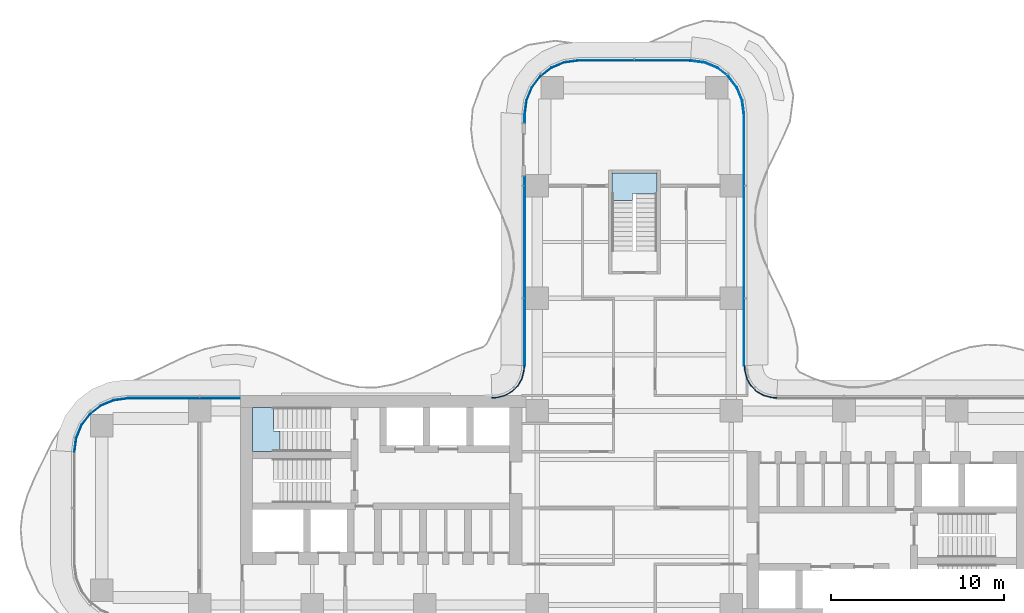
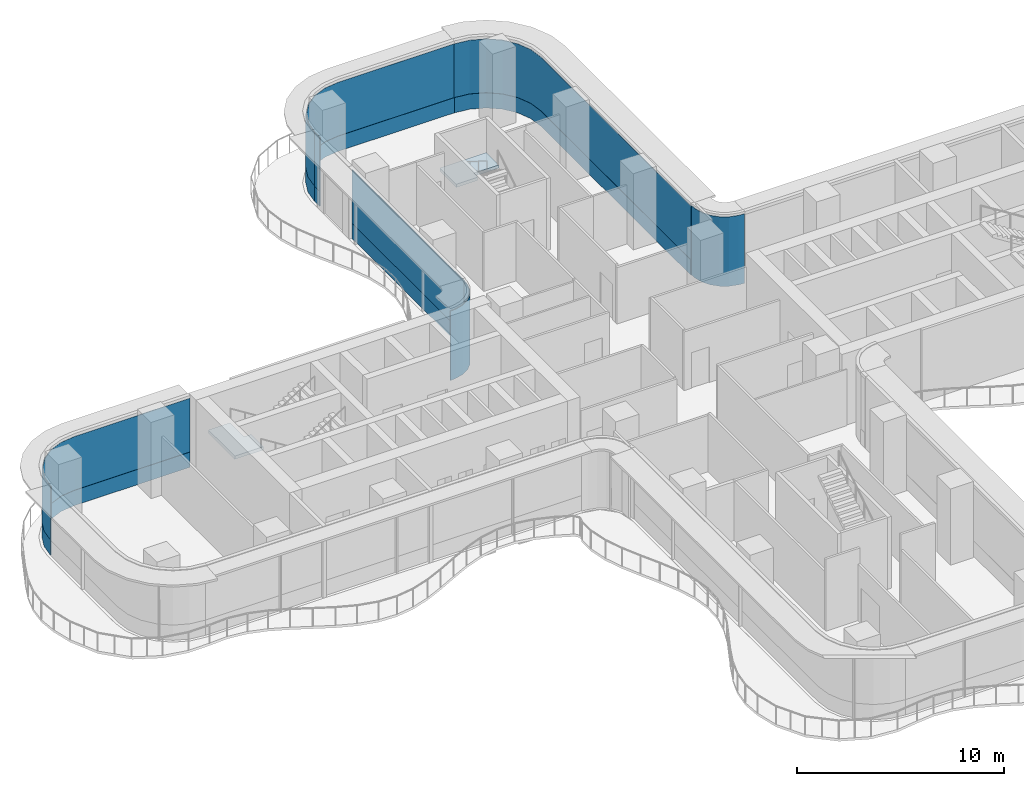
# One storey, part 16 of 23: 12 plates, 2 slabs, 9 elements without a shape of their own.
"""IFC4 building model written with IfcOpenShell, lengths in metres."""

from ifc_helpers import new_model, si_unit, direction, frame, origin, place, context, subcontext, project, spatial, polyline, outline, extrude, source, transform, mapped, material, layer, layer_set, type_object, element, aggregate, save


model = new_model("IFC4")

# Units and contexts
model_context = context("Model", 3, precision=1e-05, world=origin(), true_north=direction((0.0, 1.0)))
body_context = subcontext(model_context, "Body", "Model", "MODEL_VIEW")
ifc_project = project(units=[si_unit("LENGTHUNIT", "METRE"), si_unit("AREAUNIT", "SQUARE_METRE"), si_unit("VOLUMEUNIT", "CUBIC_METRE"), si_unit("PLANEANGLEUNIT", "RADIAN"), si_unit("MASSUNIT", "GRAM", prefix="KILO")], contexts=[model_context])

# Site, building, storey
site_placement = place(None, origin())
site = spatial("IfcSite", under=ifc_project, at=site_placement, CompositionType="ELEMENT")
building_placement = place(site_placement, origin())
building = spatial("IfcBuilding", under=site, at=building_placement, Name="Trellis Farm Tower", CompositionType="ELEMENT")
storey_placement = place(building_placement, frame((0.0, 0.0, 120.0)))
storey = spatial("IfcBuildingStorey", under=building, at=storey_placement, Name="L25", CompositionType="ELEMENT", Elevation=120.0)

# Stair, slab
ifc_material_1 = material(Name="Concrete C50/60", Category="concrete")
stair_type = type_object("IfcStairType", Name="CORE EXIT STAIR 26 RISERS 173 MM", PredefinedType="HALF_TURN_STAIR", material=ifc_material_1)
placement_1 = place(storey_placement, origin())
stair_1 = element("IfcStair", 1, at=placement_1, inside=storey, type_object=stair_type, Name="Exit stair N", PredefinedType="HALF_TURN_STAIR")
ifc_layer_1 = layer(ifc_material_1, 0.18994140625)
ifc_layer_set_1 = layer_set([ifc_layer_1], Name="CORE STAIR LANDING 190 CONCRETE C50/60")
slab_type = type_object("IfcSlabType", Name="CORE STAIR LANDING 190 CONCRETE C50/60", PredefinedType="LANDING", material=ifc_layer_set_1)
shared_shape_1 = source(origin(), body_context, "Body", "SweptSolid", [
    extrude(outline(polyline([(-0.10009765625, 17.753173828125), (-1.300048828125, 17.753173828125), (-1.300048828125, 18.14990234375), (-1.300048828125, 19.35009765625), (1.300048828125, 19.35009765625), (1.300048828125, 18.14990234375), (1.300048828125, 18.139892578125), (0.10009765625, 18.139892578125), (0.10009765625, 18.14990234375), (-0.10009765625, 18.14990234375), (-0.10009765625, 17.753173828125)])), origin(), (0.0, 0.0, 1.0), 0.18994140625),
])
placement_2 = place(storey_placement, frame((0.0, 0.0, 2.06005859375)))
slab_1 = element("IfcSlab", 2, at=placement_2, type_object=slab_type, Name="STN landing 1", PredefinedType="LANDING", context=body_context, shape_type="MappedRepresentation", body=[
    mapped(shared_shape_1, transform((0.0, 0.0, 0.0))),
])
aggregate(stair_1, [slab_1])

stair_2 = element("IfcStair", 3, at=placement_1, inside=storey, type_object=stair_type, Name="Exit stair W1", PredefinedType="HALF_TURN_STAIR")
shared_shape_2 = source(origin(), body_context, "Body", "SweptSolid", [
    extrude(outline(polyline([(-20.453125, 4.449951171875), (-20.453125, 3.25), (-20.85009765625, 3.25), (-22.050048828125, 3.25), (-22.050048828125, 5.800048828125), (-20.85009765625, 5.800048828125), (-20.840087890625, 5.800048828125), (-20.840087890625, 4.60009765625), (-20.85009765625, 4.60009765625), (-20.85009765625, 4.449951171875), (-20.453125, 4.449951171875)])), origin(), (0.0, 0.0, 1.0), 0.18994140625),
])
slab_2 = element("IfcSlab", 4, at=placement_2, type_object=slab_type, Name="STW1 landing 1", PredefinedType="LANDING", context=body_context, shape_type="MappedRepresentation", body=[
    mapped(shared_shape_2, transform((0.0, 0.0, 0.0))),
])
aggregate(stair_2, [slab_2])

# Curtain wall, plate
ifc_material_2 = material(Name="Aluminium and glass curtain wall", Category="aluminium")
ifc_layer_2 = layer(ifc_material_2, 0.166015625)
ifc_layer_set_2 = layer_set([ifc_layer_2], Name="WINTER GARDEN CURTAIN WALL CW3")
curtain_wall_type_1 = type_object("IfcCurtainWallType", Name="WINTER GARDEN CURTAIN WALL CW3", PredefinedType="NOTDEFINED", material=ifc_layer_set_2)
curtain_wall_1 = element("IfcCurtainWall", 5, at=placement_1, inside=storey, type_object=curtain_wall_type_1, Name="CW3 003", PredefinedType="NOTDEFINED")
ifc_material_3 = material(Name="Clear insulated glass", Category="glass")
ifc_layer_3 = layer(ifc_material_3, 0.0458984375)
ifc_layer_set_3 = layer_set([ifc_layer_3], Name="CW3 GLASS PANEL 46")
plate_type_1 = type_object("IfcPlateType", Name="CW3 GLASS PANEL 46", PredefinedType="CURTAIN_PANEL", material=ifc_layer_set_3)
shared_shape_3 = source(origin(), body_context, "Body", "SweptSolid", [
    extrude(outline(polyline([(8.2275390625, 6.3798828125), (8.0078125, 6.394287109375), (7.89208984375, 6.40966796875), (7.462158203125, 6.52490234375), (7.070556640625, 6.7509765625), (6.7509765625, 7.070556640625), (6.52490234375, 7.462158203125), (6.40966796875, 7.89208984375), (6.394287109375, 8.0078125), (6.3798828125, 8.2275390625), (6.333984375, 8.22607421875), (6.3486328125, 8.003173828125), (6.364501953125, 7.883056640625), (6.48193359375, 7.4443359375), (6.714111328125, 7.04248046875), (7.04248046875, 6.714111328125), (7.4443359375, 6.48193359375), (7.883056640625, 6.364501953125), (8.003173828125, 6.3486328125), (8.22607421875, 6.333984375), (8.2275390625, 6.3798828125)])), origin(), (0.0, 0.0, 1.0), 4.10009765625),
])
plate_1 = element("IfcPlate", 6, at=placement_1, type_object=plate_type_1, Name="PL3 003", PredefinedType="CURTAIN_PANEL", context=body_context, shape_type="MappedRepresentation", body=[
    mapped(shared_shape_3, transform((0.0, 0.0, 0.0))),
])
aggregate(curtain_wall_1, [plate_1])

curtain_wall_2 = element("IfcCurtainWall", 7, at=placement_1, inside=storey, type_object=curtain_wall_type_1, Name="CW3 004", PredefinedType="NOTDEFINED")
shared_shape_4 = source(origin(), body_context, "Body", "SweptSolid", [
    extrude(outline(polyline([(-6.3798828125, 8.2275390625), (-6.394287109375, 8.0078125), (-6.40966796875, 7.89208984375), (-6.52490234375, 7.462158203125), (-6.7509765625, 7.070556640625), (-7.070556640625, 6.7509765625), (-7.462158203125, 6.52490234375), (-7.89208984375, 6.40966796875), (-8.0078125, 6.394287109375), (-8.2275390625, 6.3798828125), (-8.22607421875, 6.333984375), (-8.003173828125, 6.3486328125), (-7.883056640625, 6.364501953125), (-7.4443359375, 6.48193359375), (-7.04248046875, 6.714111328125), (-6.714111328125, 7.04248046875), (-6.48193359375, 7.4443359375), (-6.364501953125, 7.883056640625), (-6.3486328125, 8.003173828125), (-6.333984375, 8.22607421875), (-6.3798828125, 8.2275390625)])), origin(), (0.0, 0.0, 1.0), 4.10009765625),
])
plate_2 = element("IfcPlate", 8, at=placement_1, type_object=plate_type_1, Name="PL3 004", PredefinedType="CURTAIN_PANEL", context=body_context, shape_type="MappedRepresentation", body=[
    mapped(shared_shape_4, transform((0.0, 0.0, 0.0))),
])
aggregate(curtain_wall_2, [plate_2])

# Curtain wall, plates
ifc_layer_4 = layer(ifc_material_2, 0.18994140625)
ifc_layer_set_4 = layer_set([ifc_layer_4], Name="RIBBON CURTAIN WALL CW1")
curtain_wall_type_2 = type_object("IfcCurtainWallType", Name="RIBBON CURTAIN WALL CW1", PredefinedType="NOTDEFINED", material=ifc_layer_set_4)
curtain_wall_3 = element("IfcCurtainWall", 9, at=placement_1, inside=storey, type_object=curtain_wall_type_2, Name="CW1 013", PredefinedType="NOTDEFINED")
ifc_layer_5 = layer(ifc_material_3, 0.0400390625)
ifc_layer_set_5 = layer_set([ifc_layer_5], Name="CW1 GLASS PANEL 40")
plate_type_2 = type_object("IfcPlateType", Name="CW1 GLASS PANEL 40", PredefinedType="CURTAIN_PANEL", material=ifc_layer_set_5)
shared_shape_5 = source(origin(), body_context, "Body", "SweptSolid", [
    extrude(outline(polyline([(-22.780029296875, 6.35009765625), (-29.240234375, 6.35009765625), (-30.052001953125, 6.2431640625), (-30.79931640625, 5.93359375), (-31.441162109375, 5.441162109375), (-31.93359375, 4.79931640625), (-32.2431640625, 4.052001953125), (-32.35009765625, 3.240234375), (-32.31005859375, 3.237548828125), (-32.2041015625, 4.04150390625), (-31.898681640625, 4.779296875), (-31.41259765625, 5.41259765625), (-30.779296875, 5.898681640625), (-30.04150390625, 6.2041015625), (-29.237548828125, 6.31005859375), (-22.780029296875, 6.31005859375), (-22.780029296875, 6.35009765625)])), origin(), (0.0, 0.0, 1.0), 3.170166015625),
])
placement_3 = place(storey_placement, frame((0.0, 0.0, 0.89990234375)))
plate_3 = element("IfcPlate", 10, at=placement_3, type_object=plate_type_2, Name="PL1 013", PredefinedType="CURTAIN_PANEL", context=body_context, shape_type="MappedRepresentation", body=[
    mapped(shared_shape_5, transform((0.0, 0.0, 0.0))),
])
ifc_material_4 = material(Name="Sandstone faced insulated panel", Category="masonry")
ifc_layer_6 = layer(ifc_material_4, 0.050048828125)
ifc_layer_set_6 = layer_set([ifc_layer_6], Name="CW1 STONE SPANDREL PANEL 50")
plate_type_3 = type_object("IfcPlateType", Name="CW1 STONE SPANDREL PANEL 50", PredefinedType="CURTAIN_PANEL", material=ifc_layer_set_6)
shared_shape_6 = source(origin(), body_context, "Body", "SweptSolid", [
    extrude(outline(polyline([(-22.780029296875, 6.35009765625), (-29.240234375, 6.35009765625), (-30.052001953125, 6.2431640625), (-30.79931640625, 5.93359375), (-31.441162109375, 5.441162109375), (-31.93359375, 4.79931640625), (-32.2431640625, 4.052001953125), (-32.35009765625, 3.240234375), (-32.300048828125, 3.23681640625), (-32.1943359375, 4.0390625), (-31.889892578125, 4.774169921875), (-31.405517578125, 5.405517578125), (-30.774169921875, 5.889892578125), (-30.0390625, 6.1943359375), (-29.23681640625, 6.300048828125), (-22.780029296875, 6.300048828125), (-22.780029296875, 6.35009765625)])), origin(), (0.0, 0.0, 1.0), 0.89990234375),
])
plate_4 = element("IfcPlate", 11, at=placement_1, type_object=plate_type_3, Name="PS1 013", PredefinedType="CURTAIN_PANEL", context=body_context, shape_type="MappedRepresentation", body=[
    mapped(shared_shape_6, transform((0.0, 0.0, 0.0))),
])
aggregate(curtain_wall_3, [plate_3, plate_4])

curtain_wall_4 = element("IfcCurtainWall", 12, at=placement_1, inside=storey, type_object=curtain_wall_type_2, Name="CW1 009", PredefinedType="NOTDEFINED")
shared_shape_7 = source(origin(), body_context, "Body", "SweptSolid", [
    extrude(outline(polyline([(6.35009765625, 8.2265625), (6.35009765625, 22.740234375), (6.2431640625, 23.552001953125), (5.93359375, 24.29931640625), (5.441162109375, 24.941162109375), (4.79931640625, 25.43359375), (4.052001953125, 25.7431640625), (3.240234375, 25.85009765625), (3.237548828125, 25.81005859375), (4.04150390625, 25.7041015625), (4.779296875, 25.398681640625), (5.41259765625, 24.91259765625), (5.898681640625, 24.279296875), (6.2041015625, 23.54150390625), (6.31005859375, 22.737548828125), (6.31005859375, 8.22509765625), (6.35009765625, 8.2265625)])), origin(), (0.0, 0.0, 1.0), 3.170166015625),
])
plate_5 = element("IfcPlate", 13, at=placement_3, type_object=plate_type_2, Name="PL1 009", PredefinedType="CURTAIN_PANEL", context=body_context, shape_type="MappedRepresentation", body=[
    mapped(shared_shape_7, transform((0.0, 0.0, 0.0))),
])
shared_shape_8 = source(origin(), body_context, "Body", "SweptSolid", [
    extrude(outline(polyline([(6.35009765625, 8.2265625), (6.35009765625, 22.740234375), (6.2431640625, 23.552001953125), (5.93359375, 24.29931640625), (5.441162109375, 24.941162109375), (4.79931640625, 25.43359375), (4.052001953125, 25.7431640625), (3.240234375, 25.85009765625), (3.23681640625, 25.800048828125), (4.0390625, 25.6943359375), (4.774169921875, 25.389892578125), (5.405517578125, 24.905517578125), (5.889892578125, 24.274169921875), (6.1943359375, 23.5390625), (6.300048828125, 22.73681640625), (6.300048828125, 8.224853515625), (6.35009765625, 8.2265625)])), origin(), (0.0, 0.0, 1.0), 0.89990234375),
])
plate_6 = element("IfcPlate", 14, at=placement_1, type_object=plate_type_3, Name="PS1 009", PredefinedType="CURTAIN_PANEL", context=body_context, shape_type="MappedRepresentation", body=[
    mapped(shared_shape_8, transform((0.0, 0.0, 0.0))),
])
aggregate(curtain_wall_4, [plate_5, plate_6])

curtain_wall_5 = element("IfcCurtainWall", 15, at=placement_1, inside=storey, type_object=curtain_wall_type_2, Name="CW1 010", PredefinedType="NOTDEFINED")
shared_shape_9 = source(origin(), body_context, "Body", "SweptSolid", [
    extrude(outline(polyline([(3.240234375, 25.85009765625), (-3.240234375, 25.85009765625), (-4.052001953125, 25.7431640625), (-4.79931640625, 25.43359375), (-5.441162109375, 24.941162109375), (-5.93359375, 24.29931640625), (-6.2431640625, 23.552001953125), (-6.35009765625, 22.740234375), (-6.31005859375, 22.737548828125), (-6.2041015625, 23.54150390625), (-5.898681640625, 24.279296875), (-5.41259765625, 24.91259765625), (-4.779296875, 25.398681640625), (-4.04150390625, 25.7041015625), (-3.237548828125, 25.81005859375), (3.237548828125, 25.81005859375), (3.240234375, 25.85009765625)])), origin(), (0.0, 0.0, 1.0), 3.170166015625),
])
plate_7 = element("IfcPlate", 16, at=placement_3, type_object=plate_type_2, Name="PL1 010", PredefinedType="CURTAIN_PANEL", context=body_context, shape_type="MappedRepresentation", body=[
    mapped(shared_shape_9, transform((0.0, 0.0, 0.0))),
])
shared_shape_10 = source(origin(), body_context, "Body", "SweptSolid", [
    extrude(outline(polyline([(3.240234375, 25.85009765625), (-3.240234375, 25.85009765625), (-4.052001953125, 25.7431640625), (-4.79931640625, 25.43359375), (-5.441162109375, 24.941162109375), (-5.93359375, 24.29931640625), (-6.2431640625, 23.552001953125), (-6.35009765625, 22.740234375), (-6.300048828125, 22.73681640625), (-6.1943359375, 23.5390625), (-5.889892578125, 24.274169921875), (-5.405517578125, 24.905517578125), (-4.774169921875, 25.389892578125), (-4.0390625, 25.6943359375), (-3.23681640625, 25.800048828125), (3.23681640625, 25.800048828125), (3.240234375, 25.85009765625)])), origin(), (0.0, 0.0, 1.0), 0.89990234375),
])
plate_8 = element("IfcPlate", 17, at=placement_1, type_object=plate_type_3, Name="PS1 010", PredefinedType="CURTAIN_PANEL", context=body_context, shape_type="MappedRepresentation", body=[
    mapped(shared_shape_10, transform((0.0, 0.0, 0.0))),
])
aggregate(curtain_wall_5, [plate_7, plate_8])

curtain_wall_6 = element("IfcCurtainWall", 18, at=placement_1, inside=storey, type_object=curtain_wall_type_2, Name="CW1 011", PredefinedType="NOTDEFINED")
shared_shape_11 = source(origin(), body_context, "Body", "SweptSolid", [
    extrude(outline(polyline([(-6.35009765625, 22.740234375), (-6.35009765625, 22.235107421875), (-6.31005859375, 22.235107421875), (-6.31005859375, 22.737548828125), (-6.35009765625, 22.740234375)])), origin(), (0.0, 0.0, 1.0), 3.170166015625),
])
plate_9 = element("IfcPlate", 19, at=placement_3, type_object=plate_type_2, Name="PL1 011", PredefinedType="CURTAIN_PANEL", context=body_context, shape_type="MappedRepresentation", body=[
    mapped(shared_shape_11, transform((0.0, 0.0, 0.0))),
])
shared_shape_12 = source(origin(), body_context, "Body", "SweptSolid", [
    extrude(outline(polyline([(-6.35009765625, 22.740234375), (-6.35009765625, 22.235107421875), (-6.300048828125, 22.235107421875), (-6.300048828125, 22.73681640625), (-6.35009765625, 22.740234375)])), origin(), (0.0, 0.0, 1.0), 0.89990234375),
])
plate_10 = element("IfcPlate", 20, at=placement_1, type_object=plate_type_3, Name="PS1 011", PredefinedType="CURTAIN_PANEL", context=body_context, shape_type="MappedRepresentation", body=[
    mapped(shared_shape_12, transform((0.0, 0.0, 0.0))),
])
aggregate(curtain_wall_6, [plate_9, plate_10])

curtain_wall_7 = element("IfcCurtainWall", 21, at=placement_1, inside=storey, type_object=curtain_wall_type_2, Name="CW1 012", PredefinedType="NOTDEFINED")
shared_shape_13 = source(origin(), body_context, "Body", "SweptSolid", [
    extrude(outline(polyline([(-6.35009765625, 19.114990234375), (-6.35009765625, 8.2265625), (-6.31005859375, 8.22509765625), (-6.31005859375, 19.114990234375), (-6.35009765625, 19.114990234375)])), origin(), (0.0, 0.0, 1.0), 3.170166015625),
])
plate_11 = element("IfcPlate", 22, at=placement_3, type_object=plate_type_2, Name="PL1 012", PredefinedType="CURTAIN_PANEL", context=body_context, shape_type="MappedRepresentation", body=[
    mapped(shared_shape_13, transform((0.0, 0.0, 0.0))),
])
shared_shape_14 = source(origin(), body_context, "Body", "SweptSolid", [
    extrude(outline(polyline([(-6.35009765625, 19.114990234375), (-6.35009765625, 8.2265625), (-6.300048828125, 8.224853515625), (-6.300048828125, 19.114990234375), (-6.35009765625, 19.114990234375)])), origin(), (0.0, 0.0, 1.0), 0.89990234375),
])
plate_12 = element("IfcPlate", 23, at=placement_1, type_object=plate_type_3, Name="PS1 012", PredefinedType="CURTAIN_PANEL", context=body_context, shape_type="MappedRepresentation", body=[
    mapped(shared_shape_14, transform((0.0, 0.0, 0.0))),
])
aggregate(curtain_wall_7, [plate_11, plate_12])

save(model, "model.ifc")
